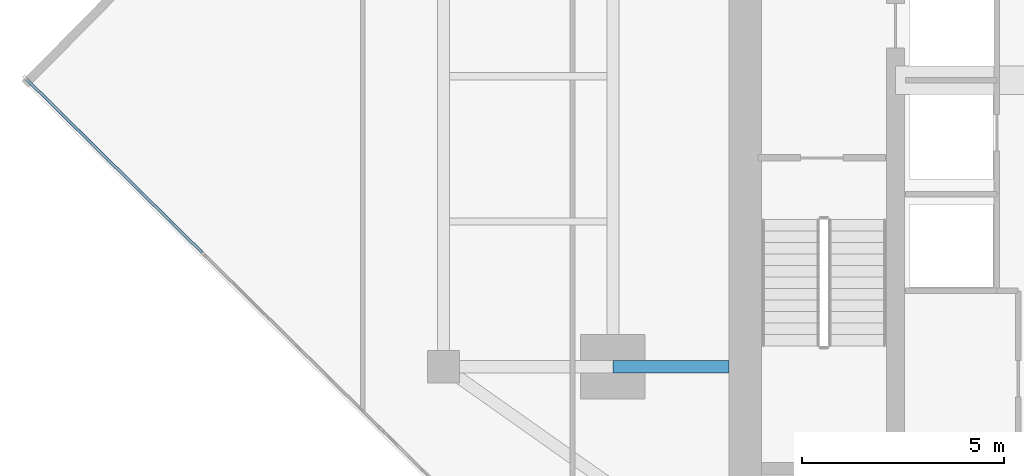
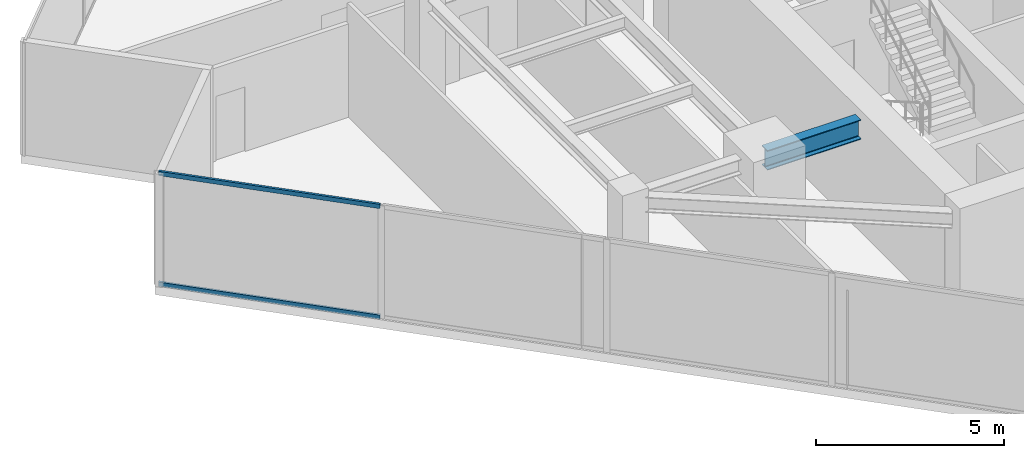
# One storey, part 4 of 24: 2 members, 1 beam, 1 element without a shape of its own.
"""IFC4 building model written with IfcOpenShell, lengths in metres."""

from ifc_helpers import new_model, si_unit, direction, frame, origin, origin_2d, place, context, subcontext, project, spatial, hollow_rectangle, i_section, extrude, source, transform, mapped, material, material_profile, profile_set, type_object, type_shapes, element, aggregate, save


model = new_model("IFC4")

# Units and contexts
model_context = context("Model", 3, precision=1e-05, world=origin(), true_north=direction((0.0, 1.0)))
body_context = subcontext(model_context, "Body", "Model", "MODEL_VIEW")
ifc_project = project(units=[si_unit("LENGTHUNIT", "METRE"), si_unit("AREAUNIT", "SQUARE_METRE"), si_unit("VOLUMEUNIT", "CUBIC_METRE"), si_unit("PLANEANGLEUNIT", "RADIAN"), si_unit("MASSUNIT", "GRAM", prefix="KILO")], contexts=[model_context])

# Site, building, storey
site_placement = place(None, origin())
site = spatial("IfcSite", under=ifc_project, at=site_placement, CompositionType="ELEMENT")
building_placement = place(site_placement, origin())
building = spatial("IfcBuilding", under=site, at=building_placement, Name="Krantzveldt Concourse Tower", CompositionType="ELEMENT")
storey_placement = place(building_placement, frame((0.0, 0.0, 231.0)))
storey = spatial("IfcBuildingStorey", under=building, at=storey_placement, Name="L56", CompositionType="ELEMENT", Elevation=231.0)

# Beam
ifc_material_1 = material(Name="Steel S355JR", Category="steel")
ifc_material_profile_1 = material_profile(ifc_material_1, i_section(OverallWidth=0.300048828125, OverallDepth=0.639892578125, WebThickness=0.013427734375, FlangeThickness=0.02587890625, FilletRadius=0.027099609375, at=origin_2d()), Name="Steel S355JR", Category="steel")
ifc_profile_set_1 = profile_set([ifc_material_profile_1], Name="Steel S355JR - HEA 650")
beam_type = type_object("IfcBeamType", Name="BM-B-HEA650", PredefinedType="BEAM", material=ifc_profile_set_1)
shared_shape_1 = source(origin(), body_context, "Body", "SweptSolid", [
    extrude(i_section(OverallWidth=0.300048828125, OverallDepth=0.639892578125, WebThickness=0.013427734375, FlangeThickness=0.02587890625, FilletRadius=0.027099609375, at=origin_2d()), origin(), (0.0, 0.0, 1.0), 2.880126953125),
])
type_shapes(beam_type, [shared_shape_1])
beam_placement = place(storey_placement, frame((25.199951171875, 15.89990234375, 3.35009765625), z_axis=(1.0, 0.0, 0.0), x_axis=(0.0, 1.0, 0.0)))
element("IfcBeam", 1, at=beam_placement, inside=storey, type_object=beam_type, Name="L56 Tower Girder BG-CW1", PredefinedType="BEAM", context=body_context, shape_type="MappedRepresentation", body=[
    mapped(shared_shape_1, transform((0.0, 0.0, 0.0), x_axis=(1.0, 0.0, 0.0), y_axis=(0.0, 1.0, 0.0), z_axis=(0.0, 0.0, 1.0), scale=1.0)),
])

# Curtain wall, members
ifc_material_2 = material(Name="Anodised aluminium 6063-T6", Category="aluminium")
curtain_wall_type = type_object("IfcCurtainWallType", Name="CW3", PredefinedType="USERDEFINED", material=ifc_material_2)
curtain_wall_placement = place(storey_placement, origin())
curtain_wall = element("IfcCurtainWall", 2, at=curtain_wall_placement, inside=storey, type_object=curtain_wall_type, Name="CW-L56-F04", ObjectType="UNITISED CURTAIN WALL", PredefinedType="USERDEFINED")
ifc_material_profile_2 = material_profile(ifc_material_2, hollow_rectangle(XDim=0.070068359375, YDim=0.139892578125, WallThickness=0.0048828125, at=origin_2d()), Name="Anodised aluminium 6063-T6", Category="aluminium")
ifc_profile_set_2 = profile_set([ifc_material_profile_2], Name="Anodised aluminium 6063-T6 - ALU-TRAN 140x70x5")
member_type = type_object("IfcMemberType", Name="CW-TRN-150", PredefinedType="USERDEFINED", material=ifc_profile_set_2)
shared_shape_2 = source(origin(), body_context, "Body", "SweptSolid", [
    extrude(hollow_rectangle(XDim=0.070068359375, YDim=0.139892578125, WallThickness=0.0048828125, at=origin_2d()), origin(), (0.0, 0.0, 1.0), 6.094970703125),
])
type_shapes(member_type, [shared_shape_2])
member_1_placement = place(storey_placement, frame((10.680908203125, 23.0126953125, 0.034912109375), z_axis=(0.711718134154, -0.702465157511, 0.0), x_axis=(0.702465157511, 0.711718134154, 0.0)))
member_1 = element("IfcMember", 3, at=member_1_placement, type_object=member_type, Name="CW-Z34 transom 1.1", ObjectType="TRANSOM", PredefinedType="USERDEFINED", context=body_context, shape_type="MappedRepresentation", body=[
    mapped(shared_shape_2, transform((0.0, 0.0, 0.0), x_axis=(1.0, 0.0, 0.0), y_axis=(0.0, 1.0, 0.0), z_axis=(0.0, 0.0, 1.0), scale=1.0)),
])
member_2_placement = place(storey_placement, frame((10.680908203125, 23.0126953125, 3.635009765625), z_axis=(0.711718134154, -0.702465157511, 0.0), x_axis=(0.702465157511, 0.711718134154, 0.0)))
member_2 = element("IfcMember", 4, at=member_2_placement, type_object=member_type, Name="CW-Z34 transom 1.2", ObjectType="TRANSOM", PredefinedType="USERDEFINED", context=body_context, shape_type="MappedRepresentation", body=[
    mapped(shared_shape_2, transform((0.0, 0.0, 0.0), x_axis=(1.0, 0.0, 0.0), y_axis=(0.0, 1.0, 0.0), z_axis=(0.0, 0.0, 1.0), scale=1.0)),
])
aggregate(curtain_wall, [member_1, member_2])

save(model, "model.ifc")
